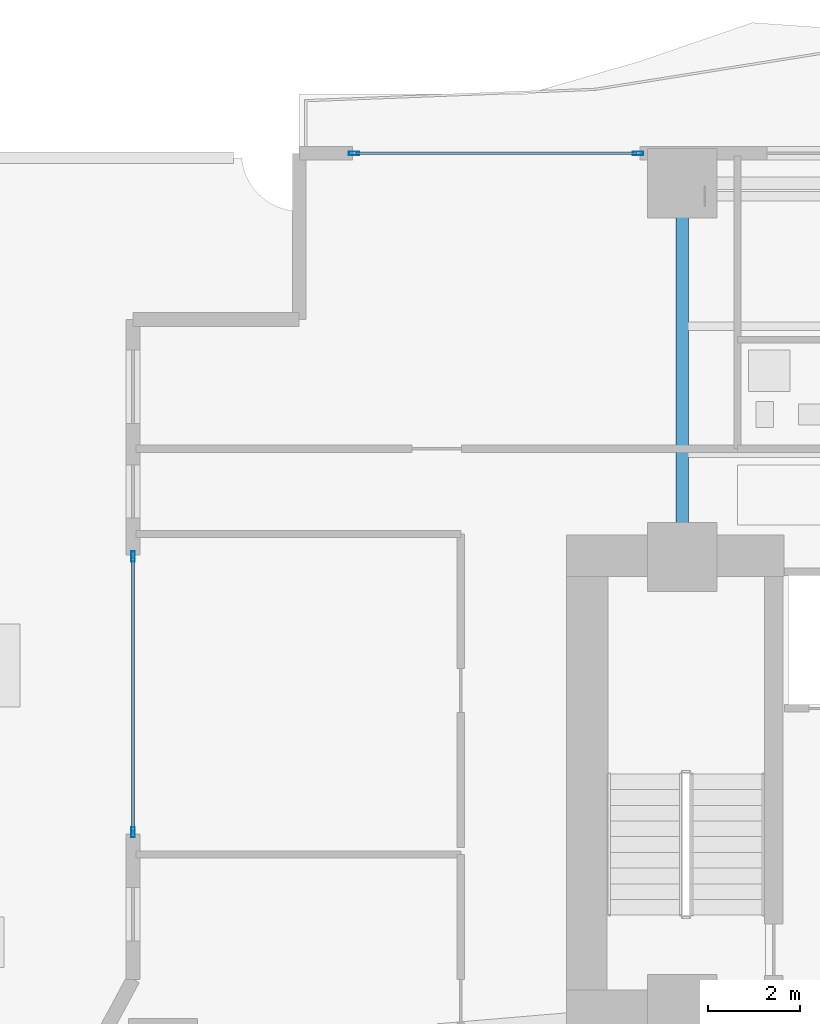
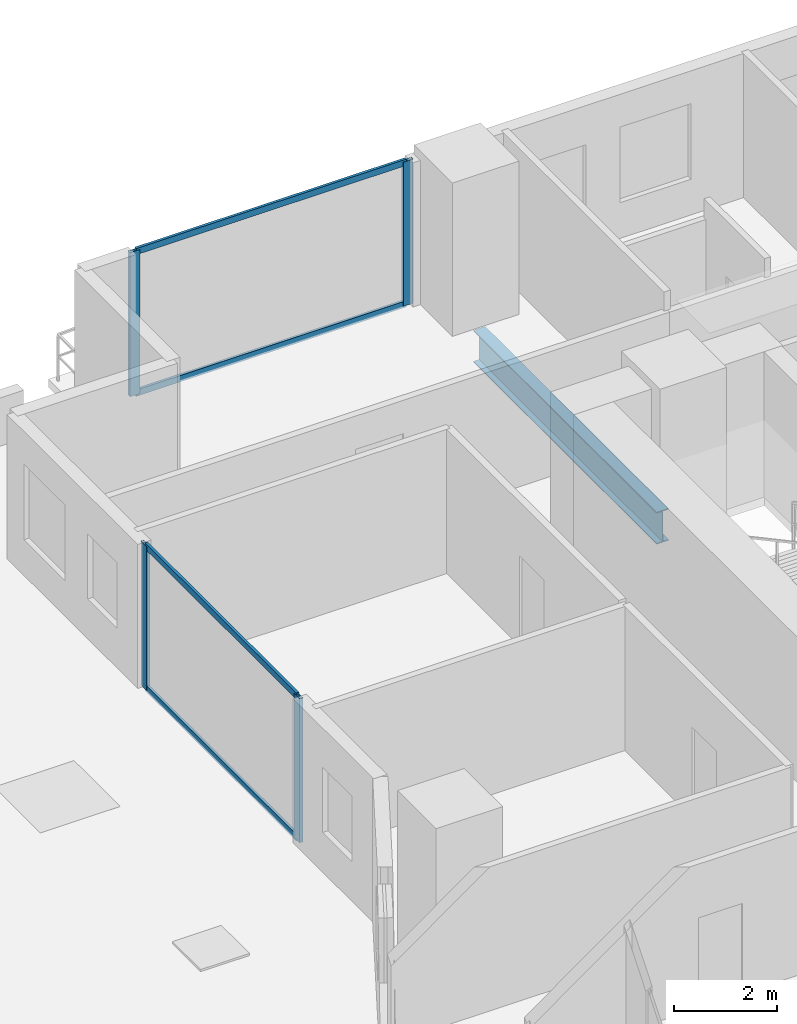
# One storey, part 13 of 30: 8 members, 1 beam, 2 elements without a shape of their own.
"""IFC4 building model written with IfcOpenShell, lengths in metres."""

import ifcopenshell
import ifcopenshell.guid

model = None  # the IFC model being written
_history = None  # IfcOwnerHistory: only IFC2X3 demands one
_inside = {}  # id of a spatial element -> (the spatial element, [elements in it])
_under = {}  # id of a project, library or spatial element -> (it, [spatial elements below it])
_declared = {}  # id of a project -> (the project, [libraries it declares])
_typed = {}  # id of a type object -> (the type object, [elements of that type])
_made_of = {}  # id of a material, layer set ... -> (it, [elements and type objects made of it])


def new_model(schema):
    """Start an empty IFC model of exactly this schema.

    Asked for "IFC4X3", IfcOpenShell would pick the latest addendum, in which some entities
    have other attributes; the version numbers below select the first issue.
    IFC2X3 requires an IfcOwnerHistory on every rooted entity: one is made here for all.
    """
    global model, _history
    if schema == "IFC4X3":
        model = ifcopenshell.file(schema_version=(4, 3, 0, 0))
    else:
        model = ifcopenshell.file(schema=schema)
    _inside.clear()
    _under.clear()
    _declared.clear()
    _typed.clear()
    _made_of.clear()
    _history = None
    if model.schema == "IFC2X3":
        org = make("IfcOrganization", Name="unknown")
        user = make(
            "IfcPersonAndOrganization",
            ThePerson=make("IfcPerson", FamilyName="unknown"),
            TheOrganization=org,
        )
        app = make(
            "IfcApplication",
            ApplicationDeveloper=org,
            Version="unknown",
            ApplicationFullName="unknown",
            ApplicationIdentifier="unknown",
        )
        _history = make(
            "IfcOwnerHistory",
            OwningUser=user,
            OwningApplication=app,
            ChangeAction="ADDED",
            CreationDate=0,
        )
    return model


def make(cls, **values):
    """One entity of the class cls with the attributes given. An attribute that is None is left unset."""
    return model.create_entity(
        cls, **{name: value for name, value in values.items() if value is not None}
    )


def rooted(cls, **values):
    """An entity with a GlobalId (a new one), such as an element, a storey or a relation."""
    return make(cls, GlobalId=ifcopenshell.guid.new(), OwnerHistory=_history, **values)


def si_unit(unit_type, name, prefix=None):
    """IfcSIUnit, for example si_unit("LENGTHUNIT", "METRE", prefix="MILLI")."""
    return make("IfcSIUnit", UnitType=unit_type, Prefix=prefix, Name=name)


def assignment(units):
    """IfcUnitAssignment: the units of a project."""
    return None if units is None else make("IfcUnitAssignment", Units=units)


def point(xyz):
    """IfcCartesianPoint."""
    return None if xyz is None else make("IfcCartesianPoint", Coordinates=xyz)


def direction(xyz):
    """IfcDirection."""
    return None if xyz is None else make("IfcDirection", DirectionRatios=xyz)


def frame(location, z_axis=None, x_axis=None):
    """IfcAxis2Placement3D, a coordinate frame: its origin and axes. An axis left out is left unset."""
    return make(
        "IfcAxis2Placement3D",
        Location=point(location),
        Axis=direction(z_axis),
        RefDirection=direction(x_axis),
    )


def frame_2d(location, x_axis=None):
    """IfcAxis2Placement2D, a coordinate frame in the plane: its origin and x axis."""
    return make(
        "IfcAxis2Placement2D", Location=point(location), RefDirection=direction(x_axis)
    )


def origin():
    """The frame at (0, 0, 0) with its axes left unset."""
    return frame((0.0, 0.0, 0.0))


def origin_2d():
    """The frame at (0, 0) in the plane with its x axis left unset."""
    return frame_2d((0.0, 0.0))


def place(relative_to, where):
    """IfcLocalPlacement: puts the frame where relative to a parent placement (None: the world)."""
    return make(
        "IfcLocalPlacement", PlacementRelTo=relative_to, RelativePlacement=where
    )


def context(
    kind, dimensions, precision=None, world=None, true_north=None, identifier=None
):
    """IfcGeometricRepresentationContext, for example the 3D "Model" context."""
    return make(
        "IfcGeometricRepresentationContext",
        ContextIdentifier=identifier,
        ContextType=kind,
        CoordinateSpaceDimension=dimensions,
        Precision=precision,
        WorldCoordinateSystem=world,
        TrueNorth=true_north,
    )


def subcontext(parent, identifier, kind, view, scale=None):
    """IfcGeometricRepresentationSubContext, for example "Body" below "Model"."""
    return make(
        "IfcGeometricRepresentationSubContext",
        ContextIdentifier=identifier,
        ContextType=kind,
        ParentContext=parent,
        TargetScale=scale,
        TargetView=view,
    )


def project(units=None, contexts=None):
    """IfcProject with its units and contexts."""
    return rooted(
        "IfcProject",
        Name="project",
        RepresentationContexts=contexts,
        UnitsInContext=assignment(units),
    )


def spatial(cls, under=None, at=None, **own):
    """A site, building, storey or space (cls), placed at a placement, below another one or the project."""
    s = rooted(cls, ObjectPlacement=at, **own)
    if under is not None:
        _under.setdefault(under.id(), (under, []))[1].append(s)
    return s


def profile(cls, at=None, kind="AREA", **sizes):
    """A parametric profile (cls). Its sizes go by their IFC names, for example OverallWidth=200.0."""
    return make(cls, ProfileType=kind, Position=at, **sizes)


def hollow_rectangle(**sizes):
    """IfcRectangleHollowProfileDef."""
    return profile("IfcRectangleHollowProfileDef", **sizes)


def i_section(**sizes):
    """IfcIShapeProfileDef."""
    return profile("IfcIShapeProfileDef", **sizes)


def extrude(swept, where, along, depth):
    """IfcExtrudedAreaSolid: the profile swept, set in the frame where, extruded along a direction by depth."""
    return make(
        "IfcExtrudedAreaSolid",
        SweptArea=swept,
        Position=where,
        ExtrudedDirection=direction(along),
        Depth=depth,
    )


def shape(context_of_items, identifier, shape_type, items):
    """IfcShapeRepresentation: the items that make up one representation, for example the "Body"."""
    return make(
        "IfcShapeRepresentation",
        ContextOfItems=context_of_items,
        RepresentationIdentifier=identifier,
        RepresentationType=shape_type,
        Items=items,
    )


def material(Name=None, Category=None):
    """IfcMaterial."""
    return make("IfcMaterial", Name=Name, Category=Category)


def layer(
    of_material, thickness, ventilated=None, Name=None, Category=None, Priority=None
):
    """IfcMaterialLayer: one layer of a wall or slab, of a material (None: an air gap)."""
    return make(
        "IfcMaterialLayer",
        Material=of_material,
        LayerThickness=thickness,
        IsVentilated=ventilated,
        Name=Name,
        Category=Category,
        Priority=Priority,
    )


def layer_set(layers, Name=None):
    """IfcMaterialLayerSet."""
    return make("IfcMaterialLayerSet", MaterialLayers=layers, LayerSetName=Name)


def material_profile(
    of_material, cross_section, Name=None, Category=None, Priority=None
):
    """IfcMaterialProfile: a cross section and its material."""
    return make(
        "IfcMaterialProfile",
        Name=Name,
        Material=of_material,
        Profile=cross_section,
        Priority=Priority,
        Category=Category,
    )


def profile_set(profiles, Name=None, composite=None):
    """IfcMaterialProfileSet."""
    return make(
        "IfcMaterialProfileSet",
        Name=Name,
        MaterialProfiles=profiles,
        CompositeProfile=composite,
    )


def made_of(thing, what):
    """Note that an element or type object is made of a material, layer set ...; save() writes the relation."""
    if what is not None:
        _made_of.setdefault(what.id(), (what, []))[1].append(thing)
    return thing


def type_object(cls, material=None, **own):
    """A type object (cls), such as IfcWallType, which elements share."""
    return made_of(rooted(cls, **own), material)


def element(
    cls,
    number,
    at=None,
    inside=None,
    cuts=None,
    type_object=None,
    material=None,
    context=None,
    identifier="Body",
    shape_type=None,
    held_by="IfcProductDefinitionShape",
    body=None,
    shapes=None,
    **own,
):
    """One element of the class cls, such as IfcWall. Its Tag is "e" and its number.

    at: its placement. inside: the storey or other place that contains it. cuts: it is an
    opening in that element (IfcRelVoidsElement). A single representation is given by context,
    identifier, shape_type and body (its items); several are given by shapes. held_by: the class
    of the entity that holds the representations. save() writes the other relations.
    """
    e = rooted(cls, Tag="e%d" % number, ObjectPlacement=at, **own)
    if body is not None:
        shapes = [shape(context, identifier, shape_type, body)]
    if shapes is not None:
        e.Representation = make(held_by, Representations=shapes)
    if inside is not None:
        _inside.setdefault(inside.id(), (inside, []))[1].append(e)
    if cuts is not None:
        rooted(
            "IfcRelVoidsElement", RelatingBuildingElement=cuts, RelatedOpeningElement=e
        )
    if type_object is not None:
        _typed.setdefault(type_object.id(), (type_object, []))[1].append(e)
    return made_of(e, material)


def aggregate(whole, parts):
    """IfcRelAggregates: a whole, such as a stair, and the parts it consists of."""
    return rooted("IfcRelAggregates", RelatingObject=whole, RelatedObjects=parts)


def save(model, path):
    """Write the relations noted so far, then the file.

    IfcRelAggregates (storeys below a building ...), IfcRelContainedInSpatialStructure (elements
    in a storey), IfcRelDefinesByType, IfcRelAssociatesMaterial and IfcRelDeclares: one each for
    every whole, place, type object, material and project.
    """
    for whole, parts in _under.values():
        aggregate(whole, parts)
    for where, things in _inside.values():
        rooted(
            "IfcRelContainedInSpatialStructure",
            RelatedElements=things,
            RelatingStructure=where,
        )
    for kind, things in _typed.values():
        rooted("IfcRelDefinesByType", RelatedObjects=things, RelatingType=kind)
    for what, things in _made_of.values():
        rooted("IfcRelAssociatesMaterial", RelatedObjects=things, RelatingMaterial=what)
    for by, libraries in _declared.values():
        rooted("IfcRelDeclares", RelatingContext=by, RelatedDefinitions=libraries)
    model.write(path)


model = new_model("IFC4")

# Units and contexts
model_context = context("Model", 3, precision=1e-05, world=origin(), true_north=direction((0.0, 1.0)))
body_context = subcontext(model_context, "Body", "Model", "MODEL_VIEW")
ifc_project = project(units=[si_unit("LENGTHUNIT", "METRE"), si_unit("AREAUNIT", "SQUARE_METRE"), si_unit("VOLUMEUNIT", "CUBIC_METRE"), si_unit("PLANEANGLEUNIT", "RADIAN"), si_unit("MASSUNIT", "GRAM", prefix="KILO")], contexts=[model_context])

# Site, building, storey
site_placement = place(None, origin())
site = spatial("IfcSite", under=ifc_project, at=site_placement, CompositionType="ELEMENT")
building_placement = place(site_placement, origin())
building = spatial("IfcBuilding", under=site, at=building_placement, Name="Zuhayl Quay Hotel", CompositionType="ELEMENT")
storey_placement = place(building_placement, frame((0.0, 0.0, 27.60009765625)))
storey = spatial("IfcBuildingStorey", under=building, at=storey_placement, Name="L05", CompositionType="ELEMENT", Elevation=27.60009765625)

# Beam
ifc_material_1 = material(Name="Steel ASTM A992 Grade 50", Category="steel")
ifc_material_profile_1 = material_profile(ifc_material_1, i_section(OverallWidth=0.26708984375, OverallDepth=0.761962890625, WebThickness=0.014404296875, FlangeThickness=0.021484375, at=origin_2d()), Name="W30X116")
ifc_profile_set_1 = profile_set([ifc_material_profile_1], Name="Steel ASTM A992 Grade 50")
beam_type = type_object("IfcBeamType", Name="BM_B1_W30X116", PredefinedType="BEAM", material=ifc_profile_set_1)
beam_placement = place(storey_placement, frame((-13.800048828125, 14.800048828125, -0.60107421875), z_axis=(0.0, 1.0, 0.0), x_axis=(-1.0, 0.0, 0.0)))
element("IfcBeam", 1, at=beam_placement, inside=storey, type_object=beam_type, Name="L05 Floor Beam FG_N_L05_1", PredefinedType="BEAM", context=body_context, shape_type="SweptSolid", body=[
    extrude(i_section(OverallWidth=0.26708984375, OverallDepth=0.761962890625, WebThickness=0.014404296875, FlangeThickness=0.021484375, at=origin_2d()), origin(), (0.0, 0.0, 1.0), 7.14990234375),
])

# Curtain wall, members
ifc_material_2 = material(Name="Anodised Aluminium 6063-T6", Category="aluminium")
ifc_layer = layer(ifc_material_2, 0.18994140625, Name="Anodised Aluminium 6063-T6", Category="aluminium")
ifc_layer_set = layer_set([ifc_layer], Name="Anodised Aluminium 6063-T6")
curtain_wall_type = type_object("IfcCurtainWallType", Name="CW_SYS_Z1", PredefinedType="USERDEFINED", material=ifc_layer_set)
curtain_wall_1_placement = place(storey_placement, origin())
curtain_wall_1 = element("IfcCurtainWall", 2, at=curtain_wall_1_placement, inside=storey, type_object=curtain_wall_type, Name="L05 Curtain Wall ENV_L05_E05_CW1", ObjectType="UNITISED CURTAIN WALL", PredefinedType="USERDEFINED")
ifc_material_3 = material(Name="Black-anodised aluminium 6063-T6", Category="aluminium")
ifc_material_profile_2 = material_profile(ifc_material_3, hollow_rectangle(XDim=0.074951171875, YDim=0.219970703125, WallThickness=0.00390625, at=origin_2d()), Name="ALU220X75")
ifc_profile_set_2 = profile_set([ifc_material_profile_2], Name="Black-anodised aluminium 6063-T6")
member_type_1 = type_object("IfcMemberType", Name="MB_CW_MUL_220", PredefinedType="MULLION", material=ifc_profile_set_2)
member_1_placement = place(storey_placement, frame((-25.699951171875, 8.387451171875, 0.0), z_axis=(0.0, 0.0, 1.0), x_axis=(-1.0, 0.0, 0.0)))
member_1 = element("IfcMember", 3, at=member_1_placement, type_object=member_type_1, Name="CW-Z1 mullion 1", PredefinedType="MULLION", context=body_context, shape_type="SweptSolid", body=[
    extrude(hollow_rectangle(XDim=0.074951171875, YDim=0.219970703125, WallThickness=0.00390625, at=origin_2d()), origin(), (0.0, 0.0, 1.0), 3.429931640625),
])
member_2_placement = place(storey_placement, frame((-25.699951171875, 14.362548828125, 0.0), z_axis=(0.0, 0.0, 1.0), x_axis=(-1.0, 0.0, 0.0)))
member_2 = element("IfcMember", 4, at=member_2_placement, type_object=member_type_1, Name="CW-Z1 mullion 2", PredefinedType="MULLION", context=body_context, shape_type="SweptSolid", body=[
    extrude(hollow_rectangle(XDim=0.074951171875, YDim=0.219970703125, WallThickness=0.00390625, at=origin_2d()), origin(), (0.0, 0.0, 1.0), 3.429931640625),
])

curtain_wall_2_placement = place(storey_placement, origin())
curtain_wall_2 = element("IfcCurtainWall", 5, at=curtain_wall_2_placement, inside=storey, type_object=curtain_wall_type, Name="L05 Curtain Wall ENV_L05_N_CW1", ObjectType="UNITISED CURTAIN WALL", PredefinedType="USERDEFINED")
member_3_placement = place(storey_placement, frame((-20.91259765625, 23.10009765625, 0.0), z_axis=(0.0, 0.0, 1.0), x_axis=(0.0, 1.0, 0.0)))
member_3 = element("IfcMember", 6, at=member_3_placement, type_object=member_type_1, Name="CW-Z1 mullion 1", PredefinedType="MULLION", context=body_context, shape_type="SweptSolid", body=[
    extrude(hollow_rectangle(XDim=0.074951171875, YDim=0.219970703125, WallThickness=0.00390625, at=origin_2d()), origin(), (0.0, 0.0, 1.0), 3.429931640625),
])
member_4_placement = place(storey_placement, frame((-14.757568359375, 23.10009765625, 0.0), z_axis=(0.0, 0.0, 1.0), x_axis=(0.0, 1.0, 0.0)))
member_4 = element("IfcMember", 7, at=member_4_placement, type_object=member_type_1, Name="CW-Z1 mullion 2", PredefinedType="MULLION", context=body_context, shape_type="SweptSolid", body=[
    extrude(hollow_rectangle(XDim=0.074951171875, YDim=0.219970703125, WallThickness=0.00390625, at=origin_2d()), origin(), (0.0, 0.0, 1.0), 3.429931640625),
])

# Member
ifc_material_profile_3 = material_profile(ifc_material_3, hollow_rectangle(XDim=0.06005859375, YDim=0.14990234375, WallThickness=0.00341796875, at=origin_2d()), Name="ALU150X60")
ifc_profile_set_3 = profile_set([ifc_material_profile_3], Name="Black-anodised aluminium 6063-T6")
member_type_2 = type_object("IfcMemberType", Name="MB_CW_TRN_150", PredefinedType="USERDEFINED", material=ifc_profile_set_3)
member_5_placement = place(storey_placement, frame((-25.699951171875, 8.425048828125, 0.02978515625), z_axis=(0.0, 1.0, 0.0), x_axis=(-1.0, 0.0, 0.0)))
member_5 = element("IfcMember", 8, at=member_5_placement, type_object=member_type_2, Name="CW-Z1 transom 1.1", ObjectType="TRANSOM", PredefinedType="USERDEFINED", context=body_context, shape_type="SweptSolid", body=[
    extrude(hollow_rectangle(XDim=0.06005859375, YDim=0.14990234375, WallThickness=0.00341796875, at=origin_2d()), origin(), (0.0, 0.0, 1.0), 5.89990234375),
])

member_6_placement = place(storey_placement, frame((-25.699951171875, 8.425048828125, 3.39990234375), z_axis=(0.0, 1.0, 0.0), x_axis=(-1.0, 0.0, 0.0)))
member_6 = element("IfcMember", 9, at=member_6_placement, type_object=member_type_2, Name="CW-Z1 transom 1.2", ObjectType="TRANSOM", PredefinedType="USERDEFINED", context=body_context, shape_type="SweptSolid", body=[
    extrude(hollow_rectangle(XDim=0.06005859375, YDim=0.14990234375, WallThickness=0.00341796875, at=origin_2d()), origin(), (0.0, 0.0, 1.0), 5.89990234375),
])

aggregate(curtain_wall_1, [member_1, member_2, member_5, member_6])

member_7_placement = place(storey_placement, frame((-20.875, 23.10009765625, 0.02978515625), z_axis=(1.0, 0.0, 0.0), x_axis=(0.0, 1.0, 0.0)))
member_7 = element("IfcMember", 10, at=member_7_placement, type_object=member_type_2, Name="CW-Z1 transom 1.1", ObjectType="TRANSOM", PredefinedType="USERDEFINED", context=body_context, shape_type="SweptSolid", body=[
    extrude(hollow_rectangle(XDim=0.06005859375, YDim=0.14990234375, WallThickness=0.00341796875, at=origin_2d()), origin(), (0.0, 0.0, 1.0), 6.080078125),
])

member_8_placement = place(storey_placement, frame((-20.875, 23.10009765625, 3.39990234375), z_axis=(1.0, 0.0, 0.0), x_axis=(0.0, 1.0, 0.0)))
member_8 = element("IfcMember", 11, at=member_8_placement, type_object=member_type_2, Name="CW-Z1 transom 1.2", ObjectType="TRANSOM", PredefinedType="USERDEFINED", context=body_context, shape_type="SweptSolid", body=[
    extrude(hollow_rectangle(XDim=0.06005859375, YDim=0.14990234375, WallThickness=0.00341796875, at=origin_2d()), origin(), (0.0, 0.0, 1.0), 6.080078125),
])

aggregate(curtain_wall_2, [member_3, member_4, member_7, member_8])

save(model, "model.ifc")
